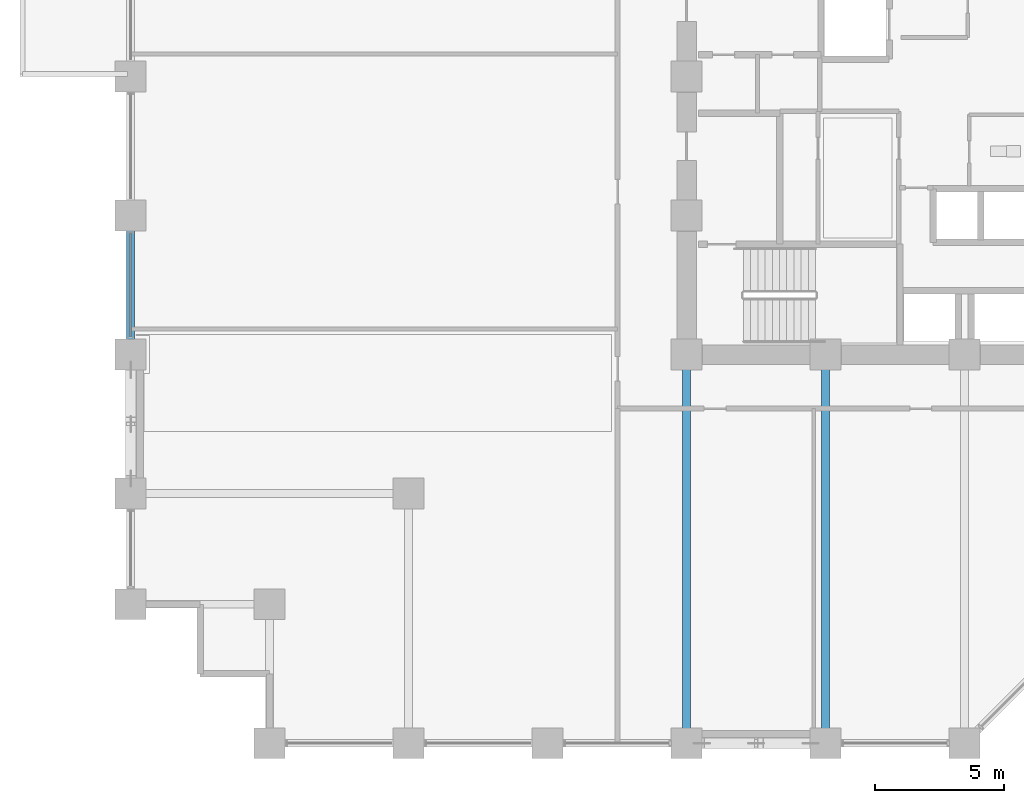
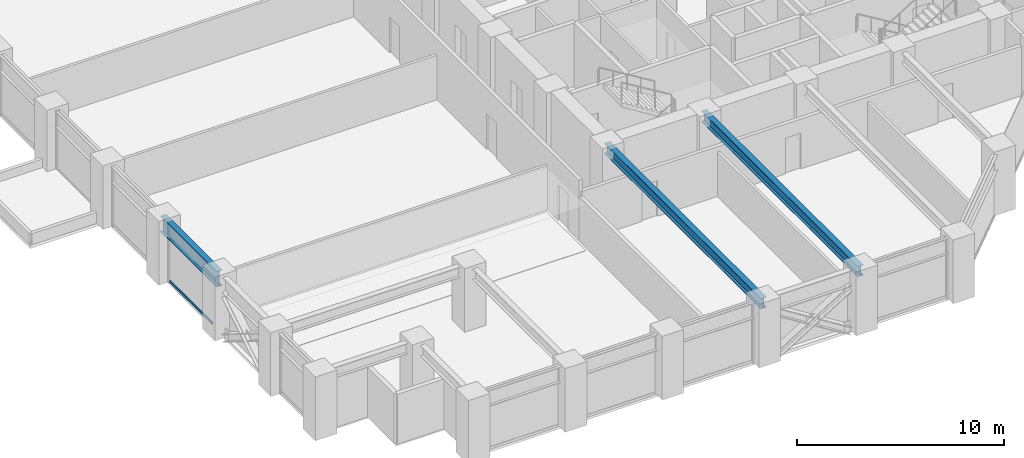
# One storey, part 4 of 26: 3 beams, 1 member, 1 element without a shape of its own.
"""IFC4 building model written with IfcOpenShell, lengths in metres."""

from ifc_helpers import new_model, si_unit, direction, frame, origin, origin_2d, place, context, subcontext, project, spatial, hollow_rectangle, i_section, extrude, material, layer, layer_set, material_profile, profile_set, type_object, element, aggregate, save


model = new_model("IFC4")

# Units and contexts
model_context = context("Model", 3, precision=1e-05, world=origin(), true_north=direction((0.0, 1.0)))
body_context = subcontext(model_context, "Body", "Model", "MODEL_VIEW")
ifc_project = project(units=[si_unit("LENGTHUNIT", "METRE"), si_unit("AREAUNIT", "SQUARE_METRE"), si_unit("VOLUMEUNIT", "CUBIC_METRE"), si_unit("PLANEANGLEUNIT", "RADIAN"), si_unit("MASSUNIT", "GRAM", prefix="KILO")], contexts=[model_context])

# Site, building, storey
site_placement = place(None, origin())
site = spatial("IfcSite", under=ifc_project, at=site_placement, CompositionType="ELEMENT")
building_placement = place(site_placement, origin())
building = spatial("IfcBuilding", under=site, at=building_placement, Name="Surkhivell Harbour Commons", CompositionType="ELEMENT")
storey_placement = place(building_placement, frame((0.0, 0.0, 71.25)))
storey = spatial("IfcBuildingStorey", under=building, at=storey_placement, Name="L18", CompositionType="ELEMENT", Elevation=71.25)

# Beams
ifc_material_1 = material(Name="Steel S355", Category="steel")
ifc_material_profile_1 = material_profile(ifc_material_1, i_section(OverallWidth=0.306884765625, OverallDepth=0.6201171875, WebThickness=0.01416015625, FlangeThickness=0.023681640625, at=origin_2d()), Name="UB610x305x179")
ifc_profile_set_1 = profile_set([ifc_material_profile_1], Name="Steel S355")
beam_type_1 = type_object("IfcBeamType", Name="BM-GRD-610A", PredefinedType="BEAM", material=ifc_profile_set_1)
for number, where, z_axis, x_axis, name in (
    (1, (-10.800048828125, -25.89990234375, 3.260009765625), (0.0, 1.0, 0.0), (-1.0, 0.0, 0.0), "L18 Floor Girder (-10.8,-25.9)"),
    (2, (-5.39990234375, -25.89990234375, 3.260009765625), (0.0, 1.0, 0.0), (-1.0, 0.0, 0.0), "L18 Floor Girder (-5.4,-25.9)"),
):
    element("IfcBeam", number, at=place(storey_placement, frame(where, z_axis=z_axis, x_axis=x_axis)), inside=storey, type_object=beam_type_1, Name=name, PredefinedType="BEAM", context=body_context, shape_type="SweptSolid", body=[
        extrude(i_section(OverallWidth=0.306884765625, OverallDepth=0.6201171875, WebThickness=0.01416015625, FlangeThickness=0.023681640625, at=origin_2d()), origin(), (0.0, 0.0, 1.0), 15.099853515625),
    ])
ifc_material_2 = material(Name="Steel S460", Category="steel")
ifc_material_profile_2 = material_profile(ifc_material_2, i_section(OverallWidth=0.30810546875, OverallDepth=0.927001953125, WebThickness=0.01953125, FlangeThickness=0.031982421875, at=origin_2d()), Name="UB914x305x289")
ifc_profile_set_2 = profile_set([ifc_material_profile_2], Name="Steel S460")
beam_type_2 = type_object("IfcBeamType", Name="BM-SPN-914B", PredefinedType="SPANDREL", material=ifc_profile_set_2)
beam_placement = place(storey_placement, frame((-32.39990234375, -10.800048828125, 3.1064453125), z_axis=(0.0, 1.0, 0.0), x_axis=(-1.0, 0.0, 0.0)))
element("IfcBeam", 3, at=beam_placement, inside=storey, type_object=beam_type_2, Name="L18 Tube Spandrel (-32.4,-10.8)", PredefinedType="SPANDREL", context=body_context, shape_type="SweptSolid", body=[
    extrude(i_section(OverallWidth=0.30810546875, OverallDepth=0.927001953125, WebThickness=0.01953125, FlangeThickness=0.031982421875, at=origin_2d()), origin(), (0.0, 0.0, 1.0), 5.400146484375),
])

# Curtain wall, member
ifc_material_3 = material(Name="Anodised pale-metal aluminium and insulated glazing", Category="aluminium")
ifc_layer = layer(ifc_material_3, 0.219970703125)
ifc_layer_set = layer_set([ifc_layer], Name="Anodised pale-metal aluminium and insulated glazing")
curtain_wall_type = type_object("IfcCurtainWallType", Name="CW-SYS-Z1", PredefinedType="NOTDEFINED", material=ifc_layer_set)
curtain_wall_placement = place(storey_placement, origin())
curtain_wall = element("IfcCurtainWall", 4, at=curtain_wall_placement, inside=storey, type_object=curtain_wall_type, Name="L18 Curtain Wall CW-L18-E12S1", PredefinedType="NOTDEFINED")
ifc_material_4 = material(Name="Anodised pale-metal aluminium alloy 6063-T6", Category="aluminium")
ifc_material_profile_3 = material_profile(ifc_material_4, hollow_rectangle(XDim=0.074951171875, YDim=0.14990234375, WallThickness=0.00341796875, at=origin_2d()), Name="ALU-TRAN-75x150")
ifc_profile_set_3 = profile_set([ifc_material_profile_3], Name="Anodised pale-metal aluminium alloy 6063-T6")
member_type = type_object("IfcMemberType", Name="CWT-150", PredefinedType="USERDEFINED", material=ifc_profile_set_3)
member_placement = place(storey_placement, frame((-32.39990234375, -6.076904296875, 0.074951171875), z_axis=(0.0, -1.0, 0.0), x_axis=(1.0, 0.0, 0.0)))
member = element("IfcMember", 5, at=member_placement, type_object=member_type, Name="CW-Z1 transom 6.1", ObjectType="TRANSOM", PredefinedType="USERDEFINED", context=body_context, shape_type="SweptSolid", body=[
    extrude(hollow_rectangle(XDim=0.074951171875, YDim=0.14990234375, WallThickness=0.00341796875, at=origin_2d()), origin(), (0.0, 0.0, 1.0), 4.046142578125),
])
aggregate(curtain_wall, [member])

save(model, "model.ifc")
